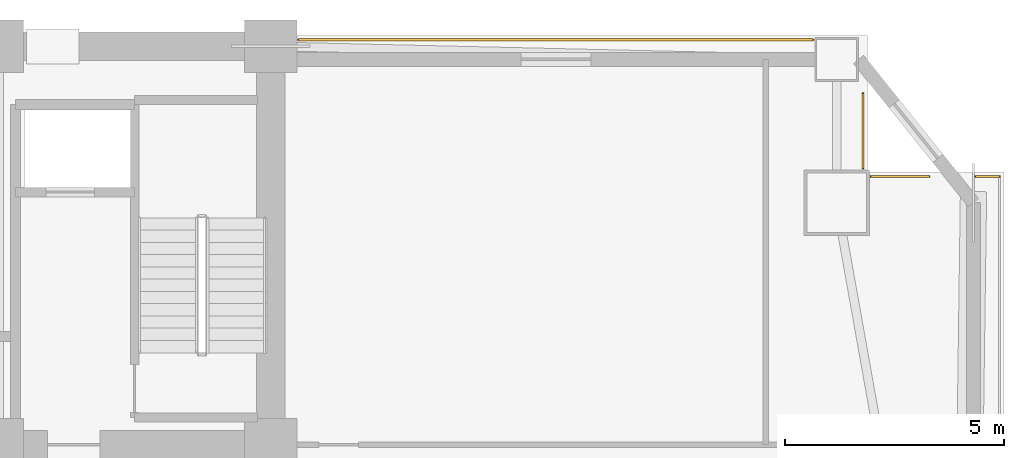
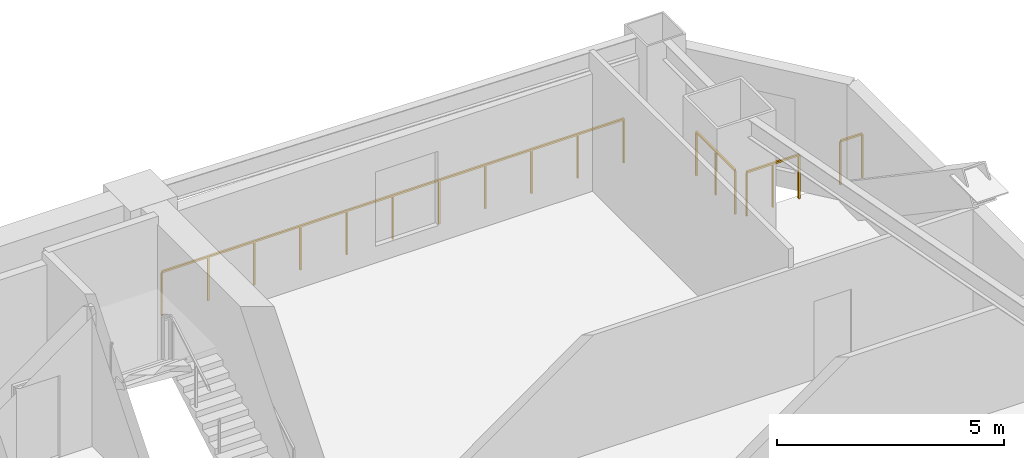
# One storey, part 18 of 18: 4 railings.
"""IFC4 building model written with IfcOpenShell, lengths in metres."""

from ifc_helpers import new_model, si_unit, direction, frame, origin, origin_2d, place, context, subcontext, project, spatial, rectangle, extrude, material, type_object, element, save


model = new_model("IFC4")

# Units and contexts
model_context = context("Model", 3, precision=1e-05, world=origin(), true_north=direction((0.0, 1.0)))
body_context = subcontext(model_context, "Body", "Model", "MODEL_VIEW")
ifc_project = project(units=[si_unit("LENGTHUNIT", "METRE"), si_unit("AREAUNIT", "SQUARE_METRE"), si_unit("VOLUMEUNIT", "CUBIC_METRE"), si_unit("PLANEANGLEUNIT", "RADIAN"), si_unit("MASSUNIT", "GRAM", prefix="KILO")], contexts=[model_context])

# Site, building, storey
site_placement = place(None, origin())
site = spatial("IfcSite", under=ifc_project, at=site_placement, CompositionType="ELEMENT")
building_placement = place(site_placement, origin())
building = spatial("IfcBuilding", under=site, at=building_placement, Name="Giltprow Tower", CompositionType="ELEMENT")
storey_placement = place(building_placement, frame((0.0, 0.0, 61.10009765625)))
storey = spatial("IfcBuildingStorey", under=building, at=storey_placement, Name="L15", CompositionType="ELEMENT", Elevation=61.10009765625)

# Railings
ifc_material = material(Name="Anodized bronze", Category="metal")
railing_type = type_object("IfcRailingType", Name="RAIL-BALC-GUARD-1200", PredefinedType="BALUSTRADE", material=ifc_material)
railing_1_placement = place(storey_placement, frame((51.18505859375, 46.699951171875, 0.0)))
element("IfcRailing", 1, at=railing_1_placement, inside=storey, type_object=railing_type, Name="L15 Corner Apron Edge Balustrade 10", PredefinedType="BALUSTRADE", context=body_context, shape_type="SweptSolid", body=[
    extrude(rectangle(XDim=0.048095703125, YDim=0.048095703125, at=origin_2d()), frame((0.0, 0.0, 1.17578125), z_axis=(1.0, 0.0, 0.0), x_axis=(0.0, 1.0, 0.0)), (0.0, 0.0, 1.0), 11.75390625),
    extrude(rectangle(XDim=0.0419921875, YDim=0.0419921875, at=origin_2d()), origin(), (0.0, 0.0, 1.0), 1.15185546875),
    extrude(rectangle(XDim=0.0419921875, YDim=0.0419921875, at=origin_2d()), frame((1.17529296875, 0.0, 0.0)), (0.0, 0.0, 1.0), 1.15185546875),
    extrude(rectangle(XDim=0.0419921875, YDim=0.0419921875, at=origin_2d()), frame((2.350830078125, 0.0, 0.0)), (0.0, 0.0, 1.0), 1.15185546875),
    extrude(rectangle(XDim=0.0419921875, YDim=0.0419921875, at=origin_2d()), frame((3.526123046875, 0.0, 0.0)), (0.0, 0.0, 1.0), 1.15185546875),
    extrude(rectangle(XDim=0.0419921875, YDim=0.0419921875, at=origin_2d()), frame((4.70166015625, 0.0, 0.0)), (0.0, 0.0, 1.0), 1.15185546875),
    extrude(rectangle(XDim=0.0419921875, YDim=0.0419921875, at=origin_2d()), frame((5.876953125, 0.0, 0.0)), (0.0, 0.0, 1.0), 1.15185546875),
    extrude(rectangle(XDim=0.0419921875, YDim=0.0419921875, at=origin_2d()), frame((7.05224609375, 0.0, 0.0)), (0.0, 0.0, 1.0), 1.15185546875),
    extrude(rectangle(XDim=0.0419921875, YDim=0.0419921875, at=origin_2d()), frame((8.227783203125, 0.0, 0.0)), (0.0, 0.0, 1.0), 1.15185546875),
    extrude(rectangle(XDim=0.0419921875, YDim=0.0419921875, at=origin_2d()), frame((9.403076171875, 0.0, 0.0)), (0.0, 0.0, 1.0), 1.15185546875),
    extrude(rectangle(XDim=0.0419921875, YDim=0.0419921875, at=origin_2d()), frame((10.57861328125, 0.0, 0.0)), (0.0, 0.0, 1.0), 1.15185546875),
    extrude(rectangle(XDim=0.0419921875, YDim=0.0419921875, at=origin_2d()), frame((11.75390625, 0.0, 0.0)), (0.0, 0.0, 1.0), 1.15185546875),
])
railing_2_placement = place(storey_placement, frame((64.073974609375, 45.469970703125, 0.0)))
element("IfcRailing", 2, at=railing_2_placement, inside=storey, type_object=railing_type, Name="L15 Corner Apron Edge Balustrade 11", PredefinedType="BALUSTRADE", context=body_context, shape_type="SweptSolid", body=[
    extrude(rectangle(XDim=0.048095703125, YDim=0.048095703125, at=origin_2d()), frame((0.0, 0.0, 1.17578125), z_axis=(0.0, -1.0, 0.0), x_axis=(1.0, 0.0, 0.0)), (0.0, 0.0, 1.0), 1.70703125),
    extrude(rectangle(XDim=0.0419921875, YDim=0.0419921875, at=origin_2d()), origin(), (0.0, 0.0, 1.0), 1.15185546875),
    extrude(rectangle(XDim=0.0419921875, YDim=0.0419921875, at=origin_2d()), frame((0.0, -0.853515625, 0.0)), (0.0, 0.0, 1.0), 1.15185546875),
    extrude(rectangle(XDim=0.0419921875, YDim=0.0419921875, at=origin_2d()), frame((0.0, -1.70703125, 0.0)), (0.0, 0.0, 1.0), 1.15185546875),
])
railing_3_placement = place(storey_placement, frame((64.259033203125, 43.577880859375, 0.0)))
element("IfcRailing", 3, at=railing_3_placement, inside=storey, type_object=railing_type, Name="L15 Corner Apron Edge Balustrade 12", PredefinedType="BALUSTRADE", context=body_context, shape_type="SweptSolid", body=[
    extrude(rectangle(XDim=0.048095703125, YDim=0.048095703125, at=origin_2d()), frame((0.0, 0.0, 1.17578125), z_axis=(1.0, 0.0, 0.0), x_axis=(0.0, 1.0, 0.0)), (0.0, 0.0, 1.0), 1.3310546875),
    extrude(rectangle(XDim=0.0419921875, YDim=0.0419921875, at=origin_2d()), origin(), (0.0, 0.0, 1.0), 1.15185546875),
    extrude(rectangle(XDim=0.0419921875, YDim=0.0419921875, at=origin_2d()), frame((0.66552734375, 0.0, 0.0)), (0.0, 0.0, 1.0), 1.15185546875),
    extrude(rectangle(XDim=0.0419921875, YDim=0.0419921875, at=origin_2d()), frame((1.3310546875, 0.0, 0.0)), (0.0, 0.0, 1.0), 1.15185546875),
])
railing_4_placement = place(storey_placement, frame((66.64111328125, 43.577880859375, 0.0)))
element("IfcRailing", 4, at=railing_4_placement, inside=storey, type_object=railing_type, Name="L15 Corner Apron Edge Balustrade 13", PredefinedType="BALUSTRADE", context=body_context, shape_type="SweptSolid", body=[
    extrude(rectangle(XDim=0.048095703125, YDim=0.048095703125, at=origin_2d()), frame((0.0, 0.0, 1.17578125), z_axis=(1.0, 0.0, 0.0), x_axis=(0.0, 1.0, 0.0)), (0.0, 0.0, 1.0), 0.554931640625),
    extrude(rectangle(XDim=0.0419921875, YDim=0.0419921875, at=origin_2d()), origin(), (0.0, 0.0, 1.0), 1.15185546875),
    extrude(rectangle(XDim=0.0419921875, YDim=0.0419921875, at=origin_2d()), frame((0.554931640625, 0.0, 0.0)), (0.0, 0.0, 1.0), 1.15185546875),
])

save(model, "model.ifc")
